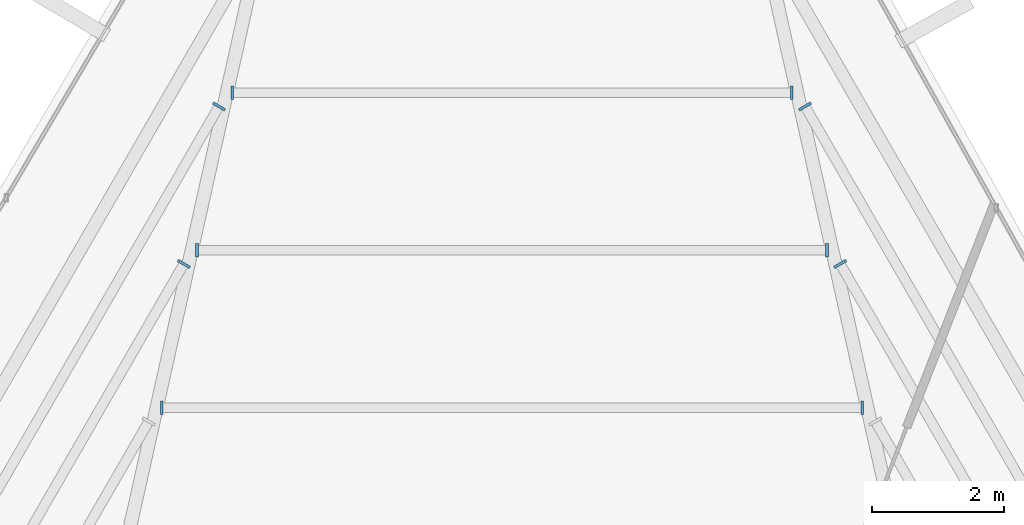
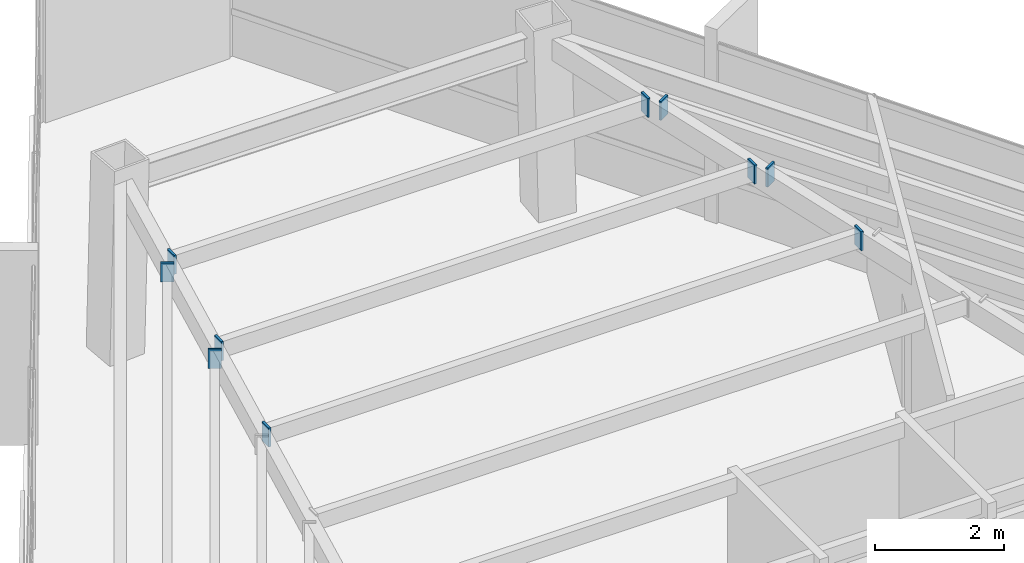
# One storey, part 41 of 47: 10 plates.
"""IFC4 building model written with IfcOpenShell, lengths in metres."""

from ifc_helpers import new_model, si_unit, direction, frame, origin, origin_2d, place, context, subcontext, project, spatial, rectangle, extrude, source, transform, mapped, material, layer, layer_set, type_object, type_shapes, element, save


model = new_model("IFC4")

# Units and contexts
model_context = context("Model", 3, precision=1e-05, world=origin(), true_north=direction((0.0, 1.0)))
body_context = subcontext(model_context, "Body", "Model", "MODEL_VIEW")
ifc_project = project(units=[si_unit("LENGTHUNIT", "METRE"), si_unit("AREAUNIT", "SQUARE_METRE"), si_unit("VOLUMEUNIT", "CUBIC_METRE"), si_unit("PLANEANGLEUNIT", "RADIAN"), si_unit("MASSUNIT", "GRAM", prefix="KILO")], contexts=[model_context])

# Site, building, storey
site_placement = place(None, origin())
site = spatial("IfcSite", under=ifc_project, at=site_placement, CompositionType="ELEMENT")
building_placement = place(site_placement, origin())
building = spatial("IfcBuilding", under=site, at=building_placement, Name="Caelisora Broadcast Tower", CompositionType="ELEMENT")
storey_placement = place(building_placement, frame((0.0, 0.0, 255.39990234375)))
storey = spatial("IfcBuildingStorey", under=building, at=storey_placement, Name="L67", CompositionType="ELEMENT", Elevation=255.39990234375)

# Plates
ifc_material = material(Name="Steel Grade 350 L15 (AS/NZS 3678)", Category="steel")
ifc_layer = layer(ifc_material, 0.0400390625, Name="Steel Grade 350 L15 (AS/NZS 3678)")
ifc_layer_set = layer_set([ifc_layer], Name="Steel Grade 350 L15 (AS/NZS 3678)")
plate_type = type_object("IfcPlateType", Name="GP04", PredefinedType="USERDEFINED", material=ifc_layer_set)
shared_shape = source(origin(), body_context, "Body", "SweptSolid", [
    extrude(rectangle(XDim=0.2099609375, YDim=0.0400390625, at=origin_2d()), origin(), (0.0, 0.0, 1.0), 0.360107421875),
])
type_shapes(plate_type, [shared_shape])
for number, where, z_axis, x_axis, name in (
    (1, (43.29638671875, 39.531005859375, 3.06982421875), (0.0, 0.0, 1.0), (0.0, -1.0, 0.0), "L67 gusset plate GP04 (ND-SB-L67-004A)"),
    (2, (32.70361328125, 39.531005859375, 3.06982421875), (0.0, 0.0, 1.0), (0.0, -1.0, 0.0), "L67 gusset plate GP04 (ND-SB-L67-004B)"),
    (3, (42.765380859375, 41.913818359375, 3.06982421875), (0.0, 0.0, 1.0), (0.0, -1.0, 0.0), "L67 gusset plate GP04 (ND-SB-L67-005A)"),
    (4, (33.234619140625, 41.913818359375, 3.06982421875), (0.0, 0.0, 1.0), (0.0, -1.0, 0.0), "L67 gusset plate GP04 (ND-SB-L67-005B)"),
    (5, (42.234130859375, 44.29638671875, 3.06982421875), (0.0, 0.0, 1.0), (0.0, -1.0, 0.0), "L67 gusset plate GP04 (ND-SB-L67-006A)"),
    (6, (33.765869140625, 44.29638671875, 3.06982421875), (0.0, 0.0, 1.0), (0.0, -1.0, 0.0), "L67 gusset plate GP04 (ND-SB-L67-006B)"),
    (7, (33.03515625, 41.705810546875, 3.06982421875), (0.0, 0.0, 1.0), (0.866025403784, -0.5, 0.0), "L67 gusset plate GP04 (ND-SB-L67-010A)"),
    (8, (33.566162109375, 44.08837890625, 3.06982421875), (0.0, 0.0, 1.0), (0.866025403784, -0.5, 0.0), "L67 gusset plate GP04 (ND-SB-L67-011A)"),
    (9, (42.96484375, 41.705810546875, 3.06982421875), (0.0, 0.0, 1.0), (-0.866025403784, -0.5, 0.0), "L67 gusset plate GP04 (ND-SB-L67-059B)"),
    (10, (42.433837890625, 44.08837890625, 3.06982421875), (0.0, 0.0, 1.0), (-0.866025403784, -0.5, 0.0), "L67 gusset plate GP04 (ND-SB-L67-060B)"),
):
    element("IfcPlate", number, at=place(storey_placement, frame(where, z_axis=z_axis, x_axis=x_axis)), inside=storey, type_object=plate_type, Name=name, ObjectType="GUSSET PLATE", PredefinedType="USERDEFINED", context=body_context, shape_type="MappedRepresentation", body=[
        mapped(shared_shape, transform((0.0, 0.0, 0.0), scale=1.0)),
    ])

save(model, "model.ifc")
